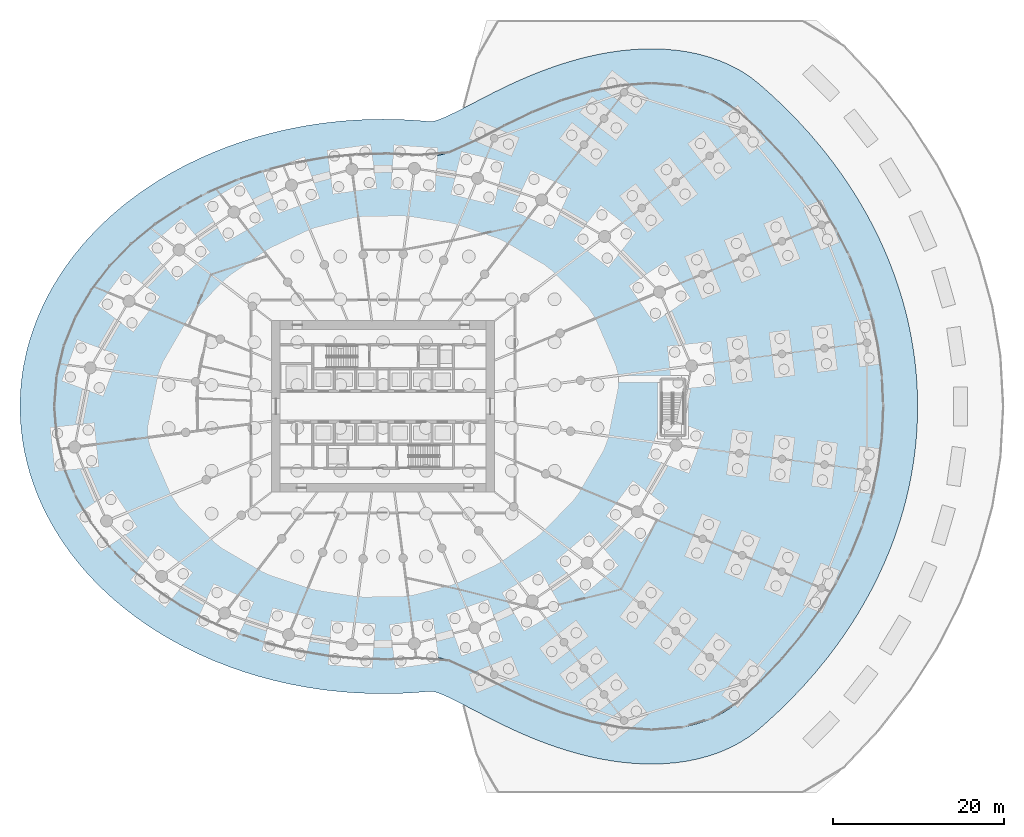
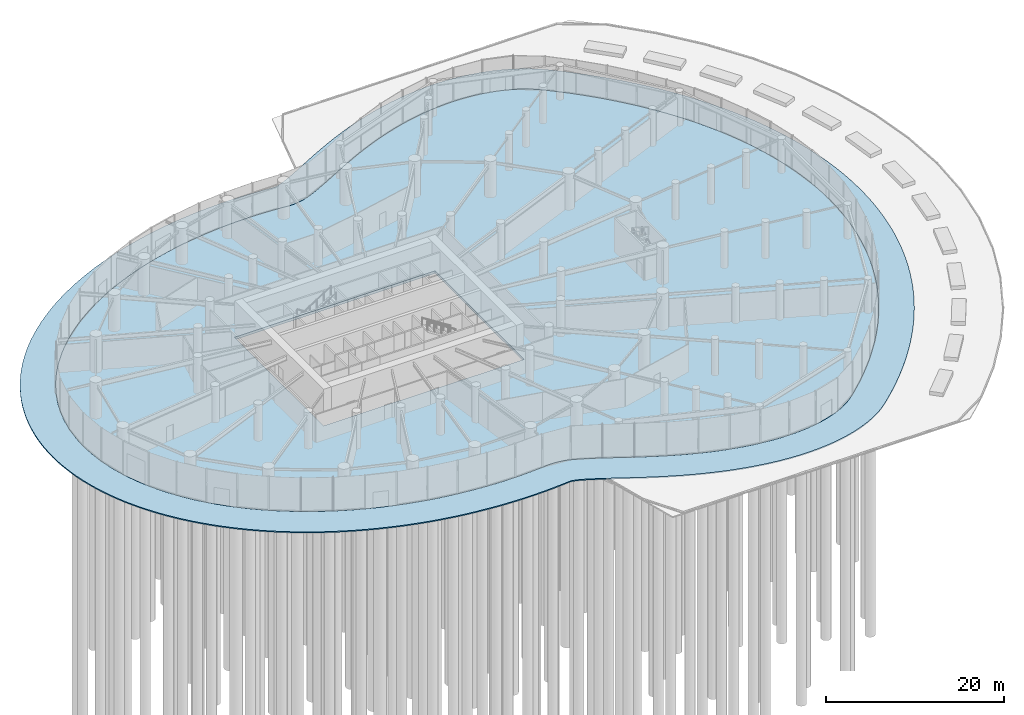
# One storey, part 14 of 28: 2 slabs.
"""IFC4 building model written with IfcOpenShell, lengths in metres."""

from ifc_helpers import new_model, si_unit, direction, frame, origin, place, context, subcontext, project, spatial, line, indexed_curve, outline, extrude, material, layer, layer_set, type_object, element, save


model = new_model("IFC4")

# Units and contexts
model_context = context("Model", 3, precision=1e-05, world=origin(), true_north=direction((0.0, 1.0)))
body_context = subcontext(model_context, "Body", "Model", "MODEL_VIEW")
ifc_project = project(units=[si_unit("LENGTHUNIT", "METRE"), si_unit("AREAUNIT", "SQUARE_METRE"), si_unit("VOLUMEUNIT", "CUBIC_METRE"), si_unit("PLANEANGLEUNIT", "RADIAN"), si_unit("MASSUNIT", "GRAM", prefix="KILO")], contexts=[model_context])

# Site, building, storey
site_placement = place(None, origin())
site = spatial("IfcSite", under=ifc_project, at=site_placement, CompositionType="ELEMENT")
building_placement = place(site_placement, origin())
building = spatial("IfcBuilding", under=site, at=building_placement, Name="Spindrift Exchange Tower", CompositionType="ELEMENT")
storey_placement = place(building_placement, origin())
storey = spatial("IfcBuildingStorey", under=building, at=storey_placement, Name="L00", CompositionType="ELEMENT", Elevation=0.0)

# Slabs
ifc_material_1 = material(Name="Concrete 32 MPa precast paving", Category="concrete")
ifc_layer_1 = layer(ifc_material_1, 0.14990234375)
ifc_layer_set_1 = layer_set([ifc_layer_1], Name="GARDEN PAVING 150")
slab_type_1 = type_object("IfcSlabType", Name="GARDEN PAVING 150", PredefinedType="USERDEFINED", material=ifc_layer_set_1)
slab_1_placement = place(storey_placement, frame((0.0, 0.0, -0.14990234375)))
element("IfcSlab", 1, at=slab_1_placement, inside=storey, type_object=slab_type_1, Name="L00 Entrance Paving 1", ObjectType="PAVING", PredefinedType="USERDEFINED", context=body_context, shape_type="SweptSolid", body=[
    extrude(outline(indexed_curve([(114.3369140625, 46.930908203125), (114.290283203125, 45.710693359375), (114.225830078125, 44.694580078125), (114.128173828125, 43.580078125), (113.98974609375, 42.369384765625), (113.833740234375, 41.26318359375), (113.650390625, 40.162353515625), (113.4599609375, 39.164306640625), (113.22509765625, 38.074951171875), (112.964111328125, 36.993408203125), (112.677001953125, 35.91943359375), (112.336669921875, 34.763427734375), (111.997802734375, 33.710205078125), (111.635009765625, 32.6669921875), (111.28173828125, 31.720947265625), (110.87353515625, 30.697509765625), (110.443603515625, 29.68701171875), (109.991455078125, 28.688232421875), (109.479248046875, 27.623291015625), (108.984375, 26.652099609375), (108.469970703125, 25.69482421875), (107.97900390625, 24.82470703125), (107.428466796875, 23.893798828125), (106.860107421875, 22.97705078125), (106.2744140625, 22.074951171875), (105.672607421875, 21.1875), (105.054931640625, 20.3154296875), (104.422119140625, 19.458251953125), (103.775390625, 18.616943359375), (102.439697265625, 16.979736328125), (101.053466796875, 15.40478515625), (99.62060546875, 13.89208984375), (98.14599609375, 12.44189453125), (96.632568359375, 11.05322265625), (95.693603515625, 10.242919921875), (94.93798828125, 9.654541015625), (94.648193359375, 9.448974609375), (93.833251953125, 8.92333984375), (93.545654296875, 8.75439453125), (92.3955078125, 8.15576171875), (91.206787109375, 7.648681640625), (89.98583984375, 7.228515625), (88.739990234375, 6.891357421875), (87.474609375, 6.6328125), (86.194580078125, 6.44873046875), (84.90478515625, 6.3349609375), (83.60888671875, 6.287841796875), (82.495361328125, 6.297607421875), (81.189697265625, 6.364990234375), (79.889892578125, 6.489013671875), (78.60009765625, 6.66552734375), (77.3232421875, 6.89111328125), (76.0634765625, 7.160888671875), (74.82275390625, 7.471435546875), (73.604248046875, 7.818359375), (72.304931640625, 8.232421875), (71.244384765625, 8.603515625), (70.108154296875, 9.032958984375), (69.004150390625, 9.480712890625), (67.86376953125, 9.973388671875), (66.838623046875, 10.4404296875), (64.947998046875, 11.3564453125), (60.845947265625, 13.476806640625), (59.5771484375, 14.09912109375), (59.03759765625, 14.339599609375), (58.5712890625, 14.5263671875), (58.1865234375, 14.658203125), (57.892333984375, 14.73779296875), (57.696044921875, 14.773681640625), (57.4296875, 14.775390625), (56.4326171875, 14.68310546875), (55.3173828125, 14.602294921875), (54.205078125, 14.545166015625), (53.09130859375, 14.510986328125), (52.02099609375, 14.5), (50.90869140625, 14.510986328125), (49.23876953125, 14.57080078125), (48.12451171875, 14.639892578125), (47.010009765625, 14.73193359375), (45.29150390625, 14.920654296875), (44.17138671875, 15.073974609375), (43.091064453125, 15.245361328125), (41.404296875, 15.559326171875), (40.27587890625, 15.802001953125), (39.144775390625, 16.072021484375), (37.442138671875, 16.5302734375), (35.6884765625, 17.07080078125), (33.974853515625, 17.669189453125), (32.25830078125, 18.3427734375), (30.54150390625, 19.095947265625), (28.82763671875, 19.93359375), (27.12060546875, 20.861083984375), (25.989013671875, 21.53173828125), (24.920166015625, 22.210205078125), (24.3076171875, 22.619873046875), (23.2548828125, 23.3623046875), (22.162109375, 24.188720703125), (21.56591796875, 24.665283203125), (20.555419921875, 25.519287109375), (19.97412109375, 26.039306640625), (18.9990234375, 26.962646484375), (18.437255859375, 27.527099609375), (17.505615234375, 28.52197265625), (16.968994140625, 29.1318359375), (16.091064453125, 30.197265625), (15.585205078125, 30.85400390625), (14.771240234375, 31.989013671875), (14.3037109375, 32.691162109375), (13.564208984375, 33.893798828125), (13.14208984375, 34.640380859375), (12.48876953125, 35.905029296875), (12.162109375, 36.5986328125), (11.81201171875, 37.400390625), (11.52294921875, 38.11669921875), (11.0361328125, 39.4716796875), (10.80224609375, 40.21337890625), (10.559814453125, 41.071044921875), (10.224853515625, 42.481201171875), (10.054931640625, 43.364501953125), (9.9306640625, 44.138916015625), (9.760009765625, 45.58349609375), (9.7001953125, 46.3681640625), (9.660400390625, 47.271484375), (9.650390625, 48.05908203125), (9.663818359375, 48.84619140625), (9.74951171875, 50.29931640625), (9.82861328125, 51.08203125), (9.947509765625, 51.9755859375), (10.0751953125, 52.75), (10.3701171875, 54.1708984375), (10.559814453125, 54.928955078125), (10.80224609375, 55.78662109375), (11.0361328125, 56.5283203125), (11.52294921875, 57.88330078125), (11.81201171875, 58.599609375), (12.162109375, 59.4013671875), (12.48876953125, 60.094970703125), (13.14208984375, 61.359619140625), (13.564208984375, 62.106201171875), (14.3037109375, 63.308837890625), (14.771240234375, 64.010986328125), (15.585205078125, 65.14599609375), (16.091064453125, 65.802734375), (16.968994140625, 66.8681640625), (17.505615234375, 67.47802734375), (18.437255859375, 68.472900390625), (18.9990234375, 69.037353515625), (19.97412109375, 69.960693359375), (20.555419921875, 70.480712890625), (21.56591796875, 71.334716796875), (22.162109375, 71.811279296875), (23.2548828125, 72.6376953125), (24.3076171875, 73.380126953125), (24.920166015625, 73.789794921875), (26.04248046875, 74.501220703125), (27.173095703125, 75.1689453125), (28.82763671875, 76.06640625), (30.54150390625, 76.904052734375), (32.25830078125, 77.6572265625), (33.974853515625, 78.330810546875), (35.6884765625, 78.92919921875), (37.442138671875, 79.4697265625), (39.144775390625, 79.927978515625), (40.27587890625, 80.197998046875), (41.404296875, 80.440673828125), (43.091064453125, 80.754638671875), (44.17138671875, 80.926025390625), (45.29150390625, 81.079345703125), (47.010009765625, 81.26806640625), (48.12451171875, 81.360107421875), (49.23876953125, 81.42919921875), (50.90869140625, 81.489013671875), (51.97900390625, 81.5), (53.09130859375, 81.489013671875), (54.205078125, 81.454833984375), (55.3173828125, 81.397705078125), (56.4326171875, 81.31689453125), (57.4296875, 81.224609375), (57.696044921875, 81.226318359375), (57.892333984375, 81.26220703125), (58.1865234375, 81.341796875), (58.5712890625, 81.4736328125), (59.03759765625, 81.660400390625), (59.5771484375, 81.90087890625), (60.845947265625, 82.523193359375), (64.947998046875, 84.6435546875), (66.838623046875, 85.5595703125), (67.86376953125, 86.026611328125), (69.004150390625, 86.519287109375), (70.108154296875, 86.967041015625), (71.244384765625, 87.396484375), (72.410888671875, 87.802978515625), (73.604248046875, 88.181640625), (74.69970703125, 88.495361328125), (75.931396484375, 88.80810546875), (77.181884765625, 89.0810546875), (78.448486328125, 89.310302734375), (79.728271484375, 89.49169921875), (81.01708984375, 89.621826171875), (82.31201171875, 89.696533203125), (83.60888671875, 89.712158203125), (85.112548828125, 89.6513671875), (86.415283203125, 89.52490234375), (87.474609375, 89.3671875), (88.739990234375, 89.108642578125), (89.98583984375, 88.771484375), (91.206787109375, 88.351318359375), (92.3955078125, 87.84423828125), (93.545654296875, 87.24560546875), (93.833251953125, 87.07666015625), (94.648193359375, 86.551025390625), (94.93798828125, 86.345458984375), (95.86279296875, 85.61767578125), (97.34326171875, 84.306396484375), (98.83837890625, 82.889892578125), (100.293212890625, 81.41162109375), (101.703857421875, 79.870849609375), (103.06591796875, 78.268310546875), (103.727294921875, 77.444091796875), (104.37548828125, 76.603515625), (105.054931640625, 75.6845703125), (105.672607421875, 74.8125), (106.2744140625, 73.925048828125), (106.860107421875, 73.02294921875), (107.385009765625, 72.177734375), (107.936767578125, 71.24853515625), (108.469970703125, 70.30517578125), (109.02490234375, 69.2705078125), (109.518310546875, 68.2978515625), (109.991455078125, 67.311767578125), (110.443603515625, 66.31298828125), (110.8388671875, 65.38671875), (111.248291015625, 64.3662109375), (111.635009765625, 63.3330078125), (112.027587890625, 62.2001953125), (112.364990234375, 61.14501953125), (112.677001953125, 60.08056640625), (112.964111328125, 59.006591796875), (113.203125, 58.020263671875), (113.440185546875, 56.9326171875), (113.650390625, 55.837646484375), (113.848876953125, 54.637939453125), (114.002197265625, 53.53125), (114.128173828125, 52.419921875), (114.225830078125, 51.305419921875), (114.290283203125, 50.289306640625), (114.3369140625, 49.069091796875), (114.349609375, 48.05078125)], segments=[line(1, 2, 3, 4, 5, 6, 7, 8, 9, 10, 11, 12, 13, 14, 15, 16, 17, 18, 19, 20, 21, 22, 23, 24, 25, 26, 27, 28, 29, 30, 31, 32, 33, 34, 35, 36, 37, 38, 39, 40, 41, 42, 43, 44, 45, 46, 47, 48, 49, 50, 51, 52, 53, 54, 55, 56, 57, 58, 59, 60, 61, 62, 63, 64, 65, 66, 67, 68, 69, 70, 71, 72, 73, 74, 75, 76, 77, 78, 79, 80, 81, 82, 83, 84, 85, 86, 87, 88, 89, 90, 91, 92, 93, 94, 95, 96, 97, 98, 99, 100, 101, 102, 103, 104, 105, 106, 107, 108, 109, 110, 111, 112, 113, 114, 115, 116, 117, 118, 119, 120, 121, 122, 123, 124, 125, 126, 127, 128, 129, 130, 131, 132, 133, 134, 135, 136, 137, 138, 139, 140, 141, 142, 143, 144, 145, 146, 147, 148, 149, 150, 151, 152, 153, 154, 155, 156, 157, 158, 159, 160, 161, 162, 163, 164, 165, 166, 167, 168, 169, 170, 171, 172, 173, 174, 175, 176, 177, 178, 179, 180, 181, 182, 183, 184, 185, 186, 187, 188, 189, 190, 191, 192, 193, 194, 195, 196, 197, 198, 199, 200, 201, 202, 203, 204, 205, 206, 207, 208, 209, 210, 211, 212, 213, 214, 215, 216, 217, 218, 219, 220, 221, 222, 223, 224, 225, 226, 227, 228, 229, 230, 231, 232, 233, 234, 235, 236, 237, 238, 239, 240, 241, 242, 243, 244, 245, 246, 247, 248, 1)], self_intersect=False), holes=[indexed_curve([(110.337158203125, 49.018310546875), (110.29833984375, 50.035888671875), (110.23388671875, 51.052001953125), (110.143798828125, 52.06591796875), (110.0283203125, 53.076904296875), (109.887451171875, 54.084228515625), (109.721435546875, 55.08740234375), (109.531005859375, 56.08544921875), (109.31591796875, 57.077880859375), (109.07666015625, 58.064208984375), (108.813720703125, 59.04345703125), (108.527587890625, 60.015380859375), (108.21875, 60.97900390625), (107.887451171875, 61.934326171875), (107.5341796875, 62.88037109375), (107.15966796875, 63.81689453125), (106.764404296875, 64.7431640625), (106.348876953125, 65.658935546875), (105.91357421875, 66.56396484375), (105.459228515625, 67.45751953125), (104.986328125, 68.339599609375), (104.495361328125, 69.20947265625), (103.9873046875, 70.067138671875), (103.462158203125, 70.912353515625), (102.9208984375, 71.744873046875), (102.3642578125, 72.564208984375), (101.2060546875, 74.163330078125), (100.60595703125, 74.942626953125), (99.365966796875, 76.46044921875), (98.0771484375, 77.9228515625), (96.7431640625, 79.32958984375), (95.367919921875, 80.68017578125), (94.666015625, 81.33447265625), (93.236083984375, 82.60107421875), (92.480712890625, 83.189208984375), (91.66552734375, 83.71484375), (90.796142578125, 84.177978515625), (89.878173828125, 84.578369140625), (88.9169921875, 84.9169921875), (87.917724609375, 85.194091796875), (86.885986328125, 85.41064453125), (85.82666015625, 85.568359375), (84.744384765625, 85.668212890625), (83.644287109375, 85.71240234375), (82.531005859375, 85.702392578125), (81.408447265625, 85.64111328125), (80.281005859375, 85.5302734375), (79.15283203125, 85.372802734375), (78.02783203125, 85.17138671875), (76.9091796875, 84.929443359375), (75.80078125, 84.64990234375), (74.705322265625, 84.336181640625), (73.626220703125, 83.9921875), (72.56591796875, 83.62109375), (71.526611328125, 83.226806640625), (70.510986328125, 82.81396484375), (69.5205078125, 82.385986328125), (68.557373046875, 81.947509765625), (66.7177734375, 81.056396484375), (62.65966796875, 78.9580078125), (61.254150390625, 78.268798828125), (60.59521484375, 77.9755859375), (59.964111328125, 77.72265625), (59.35888671875, 77.515380859375), (58.77783203125, 77.35791015625), (58.218505859375, 77.255126953125), (57.67822265625, 77.2119140625), (57.154296875, 77.232421875), (56.121826171875, 77.3291015625), (55.090576171875, 77.404052734375), (53.544921875, 77.47607421875), (52.0, 77.5), (50.97021484375, 77.489501953125), (49.940185546875, 77.45751953125), (48.909423828125, 77.404052734375), (47.878173828125, 77.3291015625), (46.328857421875, 77.17578125), (44.776611328125, 76.971923828125), (43.220458984375, 76.716552734375), (42.180908203125, 76.5166015625), (41.1396484375, 76.29248046875), (39.57421875, 75.90869140625), (38.52880859375, 75.6201171875), (37.48193359375, 75.304443359375), (35.91015625, 74.778076171875), (34.337890625, 74.185302734375), (32.767578125, 73.522216796875), (31.20263671875, 72.785400390625), (29.64697265625, 71.970703125), (28.61767578125, 71.38232421875), (27.596435546875, 70.756591796875), (26.0849609375, 69.745361328125), (25.093994140625, 69.021240234375), (24.604736328125, 68.643798828125), (23.639892578125, 67.85791015625), (23.165283203125, 67.44921875), (22.233642578125, 66.60009765625), (21.77734375, 66.15966796875), (20.886474609375, 65.24658203125), (20.452880859375, 64.77392578125), (19.61181640625, 63.796875), (19.205078125, 63.29248046875), (18.4228515625, 62.252685546875), (18.04833984375, 61.71728515625), (17.334716796875, 60.6171875), (16.996826171875, 60.052490234375), (16.36181640625, 58.895751953125), (16.0654296875, 58.30419921875), (15.5185546875, 57.095947265625), (15.268798828125, 56.47998046875), (14.818603515625, 55.227294921875), (14.43798828125, 53.94921875), (14.2744140625, 53.302001953125), (14.0029296875, 51.99365234375), (13.895751953125, 51.333740234375), (13.73876953125, 50.005126953125), (13.689453125, 49.337890625), (13.64990234375, 48.0), (13.689453125, 46.662109375), (13.73876953125, 45.994873046875), (13.895751953125, 44.666259765625), (14.0029296875, 44.00634765625), (14.2744140625, 42.697998046875), (14.43798828125, 42.05078125), (14.818603515625, 40.772705078125), (15.268798828125, 39.52001953125), (15.5185546875, 38.904052734375), (16.0654296875, 37.69580078125), (16.36181640625, 37.104248046875), (16.996826171875, 35.947509765625), (17.334716796875, 35.3828125), (18.04833984375, 34.28271484375), (18.4228515625, 33.747314453125), (19.205078125, 32.70751953125), (19.61181640625, 32.203125), (20.452880859375, 31.22607421875), (20.886474609375, 30.75341796875), (21.77734375, 29.84033203125), (22.233642578125, 29.39990234375), (23.165283203125, 28.55078125), (23.639892578125, 28.14208984375), (24.604736328125, 27.356201171875), (25.587646484375, 26.61181640625), (26.585693359375, 25.90771484375), (28.10595703125, 24.92578125), (29.13134765625, 24.31884765625), (30.164306640625, 23.748779296875), (31.723388671875, 22.960693359375), (33.29052734375, 22.248779296875), (34.86181640625, 21.609619140625), (36.43408203125, 21.039306640625), (38.005615234375, 20.5341796875), (39.57421875, 20.09130859375), (41.1396484375, 19.70751953125), (42.180908203125, 19.4833984375), (43.220458984375, 19.283447265625), (44.776611328125, 19.028076171875), (46.328857421875, 18.82421875), (47.878173828125, 18.6708984375), (48.909423828125, 18.595947265625), (49.940185546875, 18.54248046875), (50.97021484375, 18.510498046875), (52.0, 18.5), (53.544921875, 18.52392578125), (55.090576171875, 18.595947265625), (56.121826171875, 18.6708984375), (57.154296875, 18.767578125), (57.67822265625, 18.7880859375), (58.218505859375, 18.744873046875), (58.77783203125, 18.64208984375), (59.35888671875, 18.484619140625), (59.964111328125, 18.27734375), (60.59521484375, 18.0244140625), (61.254150390625, 17.731201171875), (62.65966796875, 17.0419921875), (66.7177734375, 14.943603515625), (68.557373046875, 14.052490234375), (69.5205078125, 13.614013671875), (70.510986328125, 13.18603515625), (71.526611328125, 12.773193359375), (72.56591796875, 12.37890625), (73.626220703125, 12.0078125), (74.705322265625, 11.663818359375), (75.80078125, 11.35009765625), (76.9091796875, 11.070556640625), (78.02783203125, 10.82861328125), (79.15283203125, 10.627197265625), (80.281005859375, 10.4697265625), (81.408447265625, 10.35888671875), (82.531005859375, 10.297607421875), (83.644287109375, 10.28759765625), (84.744384765625, 10.331787109375), (85.82666015625, 10.431640625), (86.885986328125, 10.58935546875), (87.917724609375, 10.805908203125), (88.9169921875, 11.0830078125), (89.878173828125, 11.421630859375), (90.796142578125, 11.822021484375), (91.66552734375, 12.28515625), (92.480712890625, 12.810791015625), (93.236083984375, 13.39892578125), (94.666015625, 14.66552734375), (95.367919921875, 15.31982421875), (96.7431640625, 16.67041015625), (98.0771484375, 18.0771484375), (99.365966796875, 19.53955078125), (100.60595703125, 21.057373046875), (101.792236328125, 22.62939453125), (102.3642578125, 23.435791015625), (102.9208984375, 24.255126953125), (103.462158203125, 25.087646484375), (103.9873046875, 25.932861328125), (104.495361328125, 26.79052734375), (104.986328125, 27.660400390625), (105.459228515625, 28.54248046875), (105.91357421875, 29.43603515625), (106.348876953125, 30.341064453125), (106.764404296875, 31.2568359375), (107.15966796875, 32.18310546875), (107.5341796875, 33.11962890625), (107.887451171875, 34.065673828125), (108.21875, 35.02099609375), (108.527587890625, 35.984619140625), (108.813720703125, 36.95654296875), (109.07666015625, 37.935791015625), (109.31591796875, 38.922119140625), (109.531005859375, 39.91455078125), (109.721435546875, 40.91259765625), (109.887451171875, 41.915771484375), (110.0283203125, 42.923095703125), (110.143798828125, 43.93408203125), (110.23388671875, 44.947998046875), (110.29833984375, 45.964111328125), (110.337158203125, 46.981689453125), (110.35009765625, 48.0)], segments=[line(1, 2, 3, 4, 5, 6, 7, 8, 9, 10, 11, 12, 13, 14, 15, 16, 17, 18, 19, 20, 21, 22, 23, 24, 25, 26, 27, 28, 29, 30, 31, 32, 33, 34, 35, 36, 37, 38, 39, 40, 41, 42, 43, 44, 45, 46, 47, 48, 49, 50, 51, 52, 53, 54, 55, 56, 57, 58, 59, 60, 61, 62, 63, 64, 65, 66, 67, 68, 69, 70, 71, 72, 73, 74, 75, 76, 77, 78, 79, 80, 81, 82, 83, 84, 85, 86, 87, 88, 89, 90, 91, 92, 93, 94, 95, 96, 97, 98, 99, 100, 101, 102, 103, 104, 105, 106, 107, 108, 109, 110, 111, 112, 113, 114, 115, 116, 117, 118, 119, 120, 121, 122, 123, 124, 125, 126, 127, 128, 129, 130, 131, 132, 133, 134, 135, 136, 137, 138, 139, 140, 141, 142, 143, 144, 145, 146, 147, 148, 149, 150, 151, 152, 153, 154, 155, 156, 157, 158, 159, 160, 161, 162, 163, 164, 165, 166, 167, 168, 169, 170, 171, 172, 173, 174, 175, 176, 177, 178, 179, 180, 181, 182, 183, 184, 185, 186, 187, 188, 189, 190, 191, 192, 193, 194, 195, 196, 197, 198, 199, 200, 201, 202, 203, 204, 205, 206, 207, 208, 209, 210, 211, 212, 213, 214, 215, 216, 217, 218, 219, 220, 221, 222, 223, 224, 225, 226, 227, 228, 229, 230, 231, 232, 233, 234, 235, 1)], self_intersect=False)]), origin(), (0.0, 0.0, 1.0), 0.14990234375),
])
ifc_material_2 = material(Name="Concrete 50 MPa", Category="concrete")
ifc_layer_2 = layer(ifc_material_2, 0.35009765625)
ifc_layer_set_2 = layer_set([ifc_layer_2], Name="RC Ground Slab 350 Concrete 50 MPa")
slab_type_2 = type_object("IfcSlabType", Name="RC Ground Slab 350 Concrete 50 MPa", PredefinedType="BASESLAB", material=ifc_layer_set_2)
slab_2_placement = place(storey_placement, frame((0.0, 0.0, -0.35009765625)))
element("IfcSlab", 2, at=slab_2_placement, inside=storey, type_object=slab_type_2, Name="Floor slab L00", PredefinedType="BASESLAB", context=body_context, shape_type="SweptSolid", body=[
    extrude(outline(indexed_curve([(110.35009765625, 48.0), (110.337158203125, 49.018310546875), (110.29833984375, 50.035888671875), (110.23388671875, 51.052001953125), (110.143798828125, 52.06591796875), (110.0283203125, 53.076904296875), (109.887451171875, 54.084228515625), (109.721435546875, 55.08740234375), (109.531005859375, 56.08544921875), (109.31591796875, 57.077880859375), (109.07666015625, 58.064208984375), (108.813720703125, 59.04345703125), (108.527587890625, 60.015380859375), (108.21875, 60.97900390625), (107.887451171875, 61.934326171875), (107.5341796875, 62.88037109375), (107.15966796875, 63.81689453125), (106.764404296875, 64.7431640625), (106.348876953125, 65.658935546875), (105.91357421875, 66.56396484375), (105.459228515625, 67.45751953125), (104.986328125, 68.339599609375), (104.495361328125, 69.20947265625), (103.9873046875, 70.067138671875), (103.462158203125, 70.912353515625), (102.9208984375, 71.744873046875), (102.3642578125, 72.564208984375), (101.792236328125, 73.37060546875), (101.2060546875, 74.163330078125), (100.60595703125, 74.942626953125), (99.9921875, 75.70849609375), (99.365966796875, 76.46044921875), (98.727294921875, 77.198486328125), (98.0771484375, 77.9228515625), (97.41552734375, 78.633056640625), (96.7431640625, 79.32958984375), (96.060302734375, 80.01171875), (95.367919921875, 80.68017578125), (94.666015625, 81.33447265625), (93.955322265625, 81.974609375), (93.236083984375, 82.60107421875), (92.480712890625, 83.189208984375), (91.66552734375, 83.71484375), (90.796142578125, 84.177978515625), (89.878173828125, 84.578369140625), (88.9169921875, 84.9169921875), (87.917724609375, 85.194091796875), (86.885986328125, 85.41064453125), (85.82666015625, 85.568359375), (84.744384765625, 85.668212890625), (83.644287109375, 85.71240234375), (82.531005859375, 85.702392578125), (81.408447265625, 85.64111328125), (80.281005859375, 85.5302734375), (79.15283203125, 85.372802734375), (78.02783203125, 85.17138671875), (76.9091796875, 84.929443359375), (75.80078125, 84.64990234375), (74.705322265625, 84.336181640625), (73.626220703125, 83.9921875), (72.56591796875, 83.62109375), (71.526611328125, 83.226806640625), (70.510986328125, 82.81396484375), (69.5205078125, 82.385986328125), (68.557373046875, 81.947509765625), (67.622802734375, 81.5029296875), (66.7177734375, 81.056396484375), (65.84326171875, 80.61279296875), (62.65966796875, 78.9580078125), (61.94189453125, 78.597900390625), (61.254150390625, 78.268798828125), (60.59521484375, 77.9755859375), (59.964111328125, 77.72265625), (59.35888671875, 77.515380859375), (58.77783203125, 77.35791015625), (58.218505859375, 77.255126953125), (57.67822265625, 77.2119140625), (57.154296875, 77.232421875), (56.121826171875, 77.3291015625), (55.090576171875, 77.404052734375), (54.059814453125, 77.45751953125), (53.544921875, 77.47607421875), (53.02978515625, 77.489501953125), (52.0, 77.5), (50.97021484375, 77.489501953125), (49.940185546875, 77.45751953125), (48.909423828125, 77.404052734375), (47.878173828125, 77.3291015625), (47.362060546875, 77.283447265625), (46.328857421875, 77.17578125), (45.294189453125, 77.04541015625), (44.776611328125, 76.971923828125), (44.25830078125, 76.892578125), (43.220458984375, 76.716552734375), (42.180908203125, 76.5166015625), (41.1396484375, 76.29248046875), (40.096435546875, 76.04296875), (39.57421875, 75.90869140625), (38.52880859375, 75.6201171875), (38.005615234375, 75.4658203125), (36.958251953125, 75.135986328125), (36.43408203125, 74.960693359375), (35.91015625, 74.778076171875), (34.86181640625, 74.390380859375), (33.814208984375, 73.97216796875), (33.29052734375, 73.751220703125), (32.2451171875, 73.284912109375), (31.723388671875, 73.039306640625), (31.20263671875, 72.785400390625), (30.164306640625, 72.251220703125), (29.13134765625, 71.68115234375), (28.10595703125, 71.07421875), (27.089599609375, 70.429443359375), (26.585693359375, 70.09228515625), (26.0849609375, 69.745361328125), (25.587646484375, 69.38818359375), (25.093994140625, 69.021240234375), (24.604736328125, 68.643798828125), (24.119873046875, 68.256103515625), (23.639892578125, 67.85791015625), (23.165283203125, 67.44921875), (22.6962890625, 67.030029296875), (22.233642578125, 66.60009765625), (21.77734375, 66.15966796875), (21.328125, 65.70849609375), (20.886474609375, 65.24658203125), (20.452880859375, 64.77392578125), (20.02783203125, 64.29052734375), (19.61181640625, 63.796875), (19.205078125, 63.29248046875), (18.80859375, 62.777587890625), (18.4228515625, 62.252685546875), (18.04833984375, 61.71728515625), (17.685302734375, 61.172119140625), (17.334716796875, 60.6171875), (16.996826171875, 60.052490234375), (16.67236328125, 59.478759765625), (16.36181640625, 58.895751953125), (16.0654296875, 58.30419921875), (15.7841796875, 57.7041015625), (15.5185546875, 57.095947265625), (15.268798828125, 56.47998046875), (15.035400390625, 55.857177734375), (14.818603515625, 55.227294921875), (14.619384765625, 54.59130859375), (14.43798828125, 53.94921875), (14.2744140625, 53.302001953125), (14.12939453125, 52.64990234375), (14.0029296875, 51.99365234375), (13.895751953125, 51.333740234375), (13.8076171875, 50.670654296875), (13.73876953125, 50.005126953125), (13.689453125, 49.337890625), (13.659912109375, 48.669189453125), (13.64990234375, 48.0), (13.659912109375, 47.330810546875), (13.689453125, 46.662109375), (13.73876953125, 45.994873046875), (13.8076171875, 45.329345703125), (13.895751953125, 44.666259765625), (14.0029296875, 44.00634765625), (14.12939453125, 43.35009765625), (14.2744140625, 42.697998046875), (14.43798828125, 42.05078125), (14.619384765625, 41.40869140625), (14.818603515625, 40.772705078125), (15.035400390625, 40.142822265625), (15.268798828125, 39.52001953125), (15.5185546875, 38.904052734375), (15.7841796875, 38.2958984375), (16.0654296875, 37.69580078125), (16.36181640625, 37.104248046875), (16.67236328125, 36.521240234375), (16.996826171875, 35.947509765625), (17.334716796875, 35.3828125), (17.685302734375, 34.827880859375), (18.04833984375, 34.28271484375), (18.4228515625, 33.747314453125), (18.80859375, 33.222412109375), (19.205078125, 32.70751953125), (19.61181640625, 32.203125), (20.02783203125, 31.70947265625), (20.452880859375, 31.22607421875), (20.886474609375, 30.75341796875), (21.328125, 30.29150390625), (21.77734375, 29.84033203125), (22.233642578125, 29.39990234375), (22.6962890625, 28.969970703125), (23.165283203125, 28.55078125), (23.639892578125, 28.14208984375), (24.119873046875, 27.743896484375), (24.604736328125, 27.356201171875), (25.093994140625, 26.978759765625), (25.587646484375, 26.61181640625), (26.0849609375, 26.254638671875), (26.585693359375, 25.90771484375), (27.089599609375, 25.570556640625), (28.10595703125, 24.92578125), (29.13134765625, 24.31884765625), (30.164306640625, 23.748779296875), (31.20263671875, 23.214599609375), (31.723388671875, 22.960693359375), (32.2451171875, 22.715087890625), (33.29052734375, 22.248779296875), (33.814208984375, 22.02783203125), (34.86181640625, 21.609619140625), (35.385986328125, 21.412109375), (36.43408203125, 21.039306640625), (36.958251953125, 20.864013671875), (38.005615234375, 20.5341796875), (38.52880859375, 20.3798828125), (39.57421875, 20.09130859375), (40.096435546875, 19.95703125), (41.1396484375, 19.70751953125), (42.180908203125, 19.4833984375), (43.220458984375, 19.283447265625), (44.25830078125, 19.107421875), (44.776611328125, 19.028076171875), (45.294189453125, 18.95458984375), (46.328857421875, 18.82421875), (47.362060546875, 18.716552734375), (47.878173828125, 18.6708984375), (48.909423828125, 18.595947265625), (49.940185546875, 18.54248046875), (50.97021484375, 18.510498046875), (52.0, 18.5), (53.02978515625, 18.510498046875), (53.544921875, 18.52392578125), (54.059814453125, 18.54248046875), (55.090576171875, 18.595947265625), (56.121826171875, 18.6708984375), (57.154296875, 18.767578125), (57.67822265625, 18.7880859375), (58.218505859375, 18.744873046875), (58.77783203125, 18.64208984375), (59.35888671875, 18.484619140625), (59.964111328125, 18.27734375), (60.59521484375, 18.0244140625), (61.254150390625, 17.731201171875), (61.94189453125, 17.402099609375), (62.65966796875, 17.0419921875), (65.84326171875, 15.38720703125), (66.7177734375, 14.943603515625), (67.622802734375, 14.4970703125), (68.557373046875, 14.052490234375), (69.5205078125, 13.614013671875), (70.510986328125, 13.18603515625), (71.526611328125, 12.773193359375), (72.56591796875, 12.37890625), (73.626220703125, 12.0078125), (74.705322265625, 11.663818359375), (75.80078125, 11.35009765625), (76.9091796875, 11.070556640625), (78.02783203125, 10.82861328125), (79.15283203125, 10.627197265625), (80.281005859375, 10.4697265625), (81.408447265625, 10.35888671875), (82.531005859375, 10.297607421875), (83.644287109375, 10.28759765625), (84.744384765625, 10.331787109375), (85.82666015625, 10.431640625), (86.885986328125, 10.58935546875), (87.917724609375, 10.805908203125), (88.9169921875, 11.0830078125), (89.878173828125, 11.421630859375), (90.796142578125, 11.822021484375), (91.66552734375, 12.28515625), (92.480712890625, 12.810791015625), (93.236083984375, 13.39892578125), (93.955322265625, 14.025390625), (94.666015625, 14.66552734375), (95.367919921875, 15.31982421875), (96.060302734375, 15.98828125), (96.7431640625, 16.67041015625), (97.41552734375, 17.366943359375), (98.0771484375, 18.0771484375), (98.727294921875, 18.801513671875), (99.365966796875, 19.53955078125), (99.9921875, 20.29150390625), (100.60595703125, 21.057373046875), (101.2060546875, 21.836669921875), (101.792236328125, 22.62939453125), (102.3642578125, 23.435791015625), (102.9208984375, 24.255126953125), (103.462158203125, 25.087646484375), (103.9873046875, 25.932861328125), (104.495361328125, 26.79052734375), (104.986328125, 27.660400390625), (105.459228515625, 28.54248046875), (105.91357421875, 29.43603515625), (106.348876953125, 30.341064453125), (106.764404296875, 31.2568359375), (107.15966796875, 32.18310546875), (107.5341796875, 33.11962890625), (107.887451171875, 34.065673828125), (108.21875, 35.02099609375), (108.527587890625, 35.984619140625), (108.813720703125, 36.95654296875), (109.07666015625, 37.935791015625), (109.31591796875, 38.922119140625), (109.531005859375, 39.91455078125), (109.721435546875, 40.91259765625), (109.887451171875, 41.915771484375), (110.0283203125, 42.923095703125), (110.143798828125, 43.93408203125), (110.23388671875, 44.947998046875), (110.29833984375, 45.964111328125), (110.337158203125, 46.981689453125)], segments=[line(1, 2, 3, 4, 5, 6, 7, 8, 9, 10, 11, 12, 13, 14, 15, 16, 17, 18, 19, 20, 21, 22, 23, 24, 25, 26, 27, 28, 29, 30, 31, 32, 33, 34, 35, 36, 37, 38, 39, 40, 41, 42, 43, 44, 45, 46, 47, 48, 49, 50, 51, 52, 53, 54, 55, 56, 57, 58, 59, 60, 61, 62, 63, 64, 65, 66, 67, 68, 69, 70, 71, 72, 73, 74, 75, 76, 77, 78, 79, 80, 81, 82, 83, 84, 85, 86, 87, 88, 89, 90, 91, 92, 93, 94, 95, 96, 97, 98, 99, 100, 101, 102, 103, 104, 105, 106, 107, 108, 109, 110, 111, 112, 113, 114, 115, 116, 117, 118, 119, 120, 121, 122, 123, 124, 125, 126, 127, 128, 129, 130, 131, 132, 133, 134, 135, 136, 137, 138, 139, 140, 141, 142, 143, 144, 145, 146, 147, 148, 149, 150, 151, 152, 153, 154, 155, 156, 157, 158, 159, 160, 161, 162, 163, 164, 165, 166, 167, 168, 169, 170, 171, 172, 173, 174, 175, 176, 177, 178, 179, 180, 181, 182, 183, 184, 185, 186, 187, 188, 189, 190, 191, 192, 193, 194, 195, 196, 197, 198, 199, 200, 201, 202, 203, 204, 205, 206, 207, 208, 209, 210, 211, 212, 213, 214, 215, 216, 217, 218, 219, 220, 221, 222, 223, 224, 225, 226, 227, 228, 229, 230, 231, 232, 233, 234, 235, 236, 237, 238, 239, 240, 241, 242, 243, 244, 245, 246, 247, 248, 249, 250, 251, 252, 253, 254, 255, 256, 257, 258, 259, 260, 261, 262, 263, 264, 265, 266, 267, 268, 269, 270, 271, 272, 273, 274, 275, 276, 277, 278, 279, 280, 281, 282, 283, 284, 285, 286, 287, 288, 289, 290, 291, 292, 293, 294, 295, 296, 297, 298, 299, 300, 301, 302, 303, 304, 305, 306, 307, 308, 1)], self_intersect=False), holes=[indexed_curve([(39.0, 38.0), (65.0, 38.0), (65.0, 58.0), (39.0, 58.0)], segments=[line(1, 2, 3, 4, 1)], self_intersect=False)]), origin(), (0.0, 0.0, 1.0), 0.35009765625),
])

save(model, "model.ifc")
